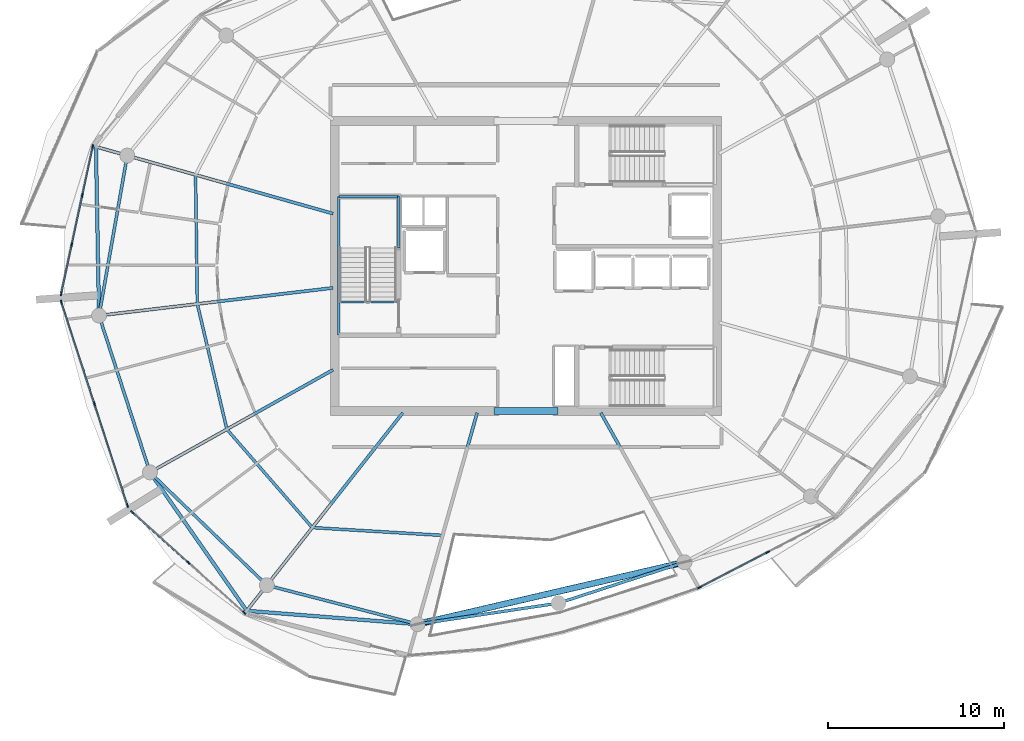
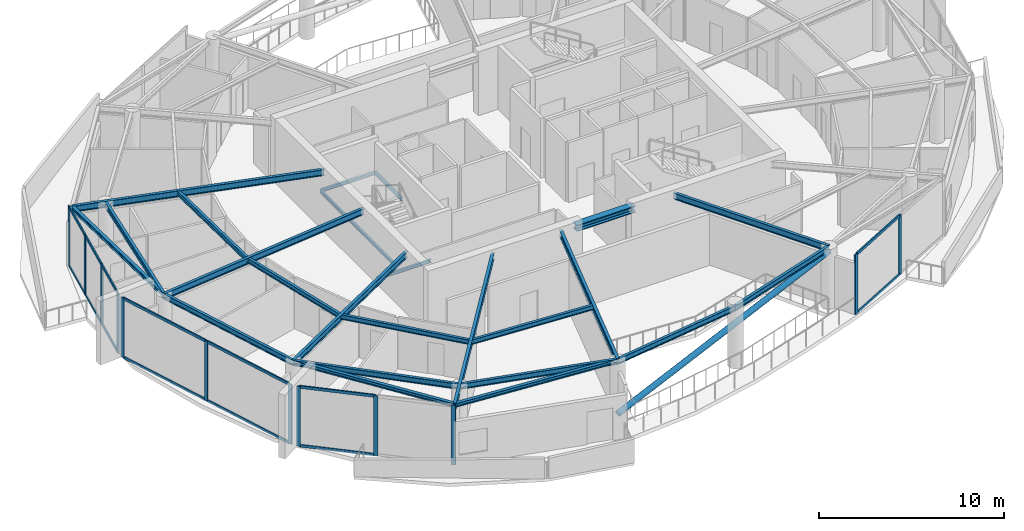
# One storey, part 5 of 22: 27 members, 24 beams, 4 elements without a shape of their own.
"""IFC4 building model written with IfcOpenShell, lengths in metres."""

import ifcopenshell
import ifcopenshell.guid

model = None  # the IFC model being written
_history = None  # IfcOwnerHistory: only IFC2X3 demands one
_inside = {}  # id of a spatial element -> (the spatial element, [elements in it])
_under = {}  # id of a project, library or spatial element -> (it, [spatial elements below it])
_declared = {}  # id of a project -> (the project, [libraries it declares])
_typed = {}  # id of a type object -> (the type object, [elements of that type])
_made_of = {}  # id of a material, layer set ... -> (it, [elements and type objects made of it])


def new_model(schema):
    """Start an empty IFC model of exactly this schema.

    Asked for "IFC4X3", IfcOpenShell would pick the latest addendum, in which some entities
    have other attributes; the version numbers below select the first issue.
    IFC2X3 requires an IfcOwnerHistory on every rooted entity: one is made here for all.
    """
    global model, _history
    if schema == "IFC4X3":
        model = ifcopenshell.file(schema_version=(4, 3, 0, 0))
    else:
        model = ifcopenshell.file(schema=schema)
    _inside.clear()
    _under.clear()
    _declared.clear()
    _typed.clear()
    _made_of.clear()
    _history = None
    if model.schema == "IFC2X3":
        org = make("IfcOrganization", Name="unknown")
        user = make(
            "IfcPersonAndOrganization",
            ThePerson=make("IfcPerson", FamilyName="unknown"),
            TheOrganization=org,
        )
        app = make(
            "IfcApplication",
            ApplicationDeveloper=org,
            Version="unknown",
            ApplicationFullName="unknown",
            ApplicationIdentifier="unknown",
        )
        _history = make(
            "IfcOwnerHistory",
            OwningUser=user,
            OwningApplication=app,
            ChangeAction="ADDED",
            CreationDate=0,
        )
    return model


def make(cls, **values):
    """One entity of the class cls with the attributes given. An attribute that is None is left unset."""
    return model.create_entity(
        cls, **{name: value for name, value in values.items() if value is not None}
    )


def rooted(cls, **values):
    """An entity with a GlobalId (a new one), such as an element, a storey or a relation."""
    return make(cls, GlobalId=ifcopenshell.guid.new(), OwnerHistory=_history, **values)


def si_unit(unit_type, name, prefix=None):
    """IfcSIUnit, for example si_unit("LENGTHUNIT", "METRE", prefix="MILLI")."""
    return make("IfcSIUnit", UnitType=unit_type, Prefix=prefix, Name=name)


def assignment(units):
    """IfcUnitAssignment: the units of a project."""
    return None if units is None else make("IfcUnitAssignment", Units=units)


def point(xyz):
    """IfcCartesianPoint."""
    return None if xyz is None else make("IfcCartesianPoint", Coordinates=xyz)


def direction(xyz):
    """IfcDirection."""
    return None if xyz is None else make("IfcDirection", DirectionRatios=xyz)


def frame(location, z_axis=None, x_axis=None):
    """IfcAxis2Placement3D, a coordinate frame: its origin and axes. An axis left out is left unset."""
    return make(
        "IfcAxis2Placement3D",
        Location=point(location),
        Axis=direction(z_axis),
        RefDirection=direction(x_axis),
    )


def frame_2d(location, x_axis=None):
    """IfcAxis2Placement2D, a coordinate frame in the plane: its origin and x axis."""
    return make(
        "IfcAxis2Placement2D", Location=point(location), RefDirection=direction(x_axis)
    )


def origin():
    """The frame at (0, 0, 0) with its axes left unset."""
    return frame((0.0, 0.0, 0.0))


def origin_2d():
    """The frame at (0, 0) in the plane with its x axis left unset."""
    return frame_2d((0.0, 0.0))


def place(relative_to, where):
    """IfcLocalPlacement: puts the frame where relative to a parent placement (None: the world)."""
    return make(
        "IfcLocalPlacement", PlacementRelTo=relative_to, RelativePlacement=where
    )


def context(
    kind, dimensions, precision=None, world=None, true_north=None, identifier=None
):
    """IfcGeometricRepresentationContext, for example the 3D "Model" context."""
    return make(
        "IfcGeometricRepresentationContext",
        ContextIdentifier=identifier,
        ContextType=kind,
        CoordinateSpaceDimension=dimensions,
        Precision=precision,
        WorldCoordinateSystem=world,
        TrueNorth=true_north,
    )


def subcontext(parent, identifier, kind, view, scale=None):
    """IfcGeometricRepresentationSubContext, for example "Body" below "Model"."""
    return make(
        "IfcGeometricRepresentationSubContext",
        ContextIdentifier=identifier,
        ContextType=kind,
        ParentContext=parent,
        TargetScale=scale,
        TargetView=view,
    )


def project(units=None, contexts=None):
    """IfcProject with its units and contexts."""
    return rooted(
        "IfcProject",
        Name="project",
        RepresentationContexts=contexts,
        UnitsInContext=assignment(units),
    )


def spatial(cls, under=None, at=None, **own):
    """A site, building, storey or space (cls), placed at a placement, below another one or the project."""
    s = rooted(cls, ObjectPlacement=at, **own)
    if under is not None:
        _under.setdefault(under.id(), (under, []))[1].append(s)
    return s


def profile(cls, at=None, kind="AREA", **sizes):
    """A parametric profile (cls). Its sizes go by their IFC names, for example OverallWidth=200.0."""
    return make(cls, ProfileType=kind, Position=at, **sizes)


def rectangle(**sizes):
    """IfcRectangleProfileDef."""
    return profile("IfcRectangleProfileDef", **sizes)


def hollow_circle(**sizes):
    """IfcCircleHollowProfileDef."""
    return profile("IfcCircleHollowProfileDef", **sizes)


def i_section(**sizes):
    """IfcIShapeProfileDef."""
    return profile("IfcIShapeProfileDef", **sizes)


def extrude(swept, where, along, depth):
    """IfcExtrudedAreaSolid: the profile swept, set in the frame where, extruded along a direction by depth."""
    return make(
        "IfcExtrudedAreaSolid",
        SweptArea=swept,
        Position=where,
        ExtrudedDirection=direction(along),
        Depth=depth,
    )


def shape(context_of_items, identifier, shape_type, items):
    """IfcShapeRepresentation: the items that make up one representation, for example the "Body"."""
    return make(
        "IfcShapeRepresentation",
        ContextOfItems=context_of_items,
        RepresentationIdentifier=identifier,
        RepresentationType=shape_type,
        Items=items,
    )


def material(Name=None, Category=None):
    """IfcMaterial."""
    return make("IfcMaterial", Name=Name, Category=Category)


def layer(
    of_material, thickness, ventilated=None, Name=None, Category=None, Priority=None
):
    """IfcMaterialLayer: one layer of a wall or slab, of a material (None: an air gap)."""
    return make(
        "IfcMaterialLayer",
        Material=of_material,
        LayerThickness=thickness,
        IsVentilated=ventilated,
        Name=Name,
        Category=Category,
        Priority=Priority,
    )


def layer_set(layers, Name=None):
    """IfcMaterialLayerSet."""
    return make("IfcMaterialLayerSet", MaterialLayers=layers, LayerSetName=Name)


def material_profile(
    of_material, cross_section, Name=None, Category=None, Priority=None
):
    """IfcMaterialProfile: a cross section and its material."""
    return make(
        "IfcMaterialProfile",
        Name=Name,
        Material=of_material,
        Profile=cross_section,
        Priority=Priority,
        Category=Category,
    )


def profile_set(profiles, Name=None, composite=None):
    """IfcMaterialProfileSet."""
    return make(
        "IfcMaterialProfileSet",
        Name=Name,
        MaterialProfiles=profiles,
        CompositeProfile=composite,
    )


def made_of(thing, what):
    """Note that an element or type object is made of a material, layer set ...; save() writes the relation."""
    if what is not None:
        _made_of.setdefault(what.id(), (what, []))[1].append(thing)
    return thing


def type_object(cls, material=None, **own):
    """A type object (cls), such as IfcWallType, which elements share."""
    return made_of(rooted(cls, **own), material)


def element(
    cls,
    number,
    at=None,
    inside=None,
    cuts=None,
    type_object=None,
    material=None,
    context=None,
    identifier="Body",
    shape_type=None,
    held_by="IfcProductDefinitionShape",
    body=None,
    shapes=None,
    **own,
):
    """One element of the class cls, such as IfcWall. Its Tag is "e" and its number.

    at: its placement. inside: the storey or other place that contains it. cuts: it is an
    opening in that element (IfcRelVoidsElement). A single representation is given by context,
    identifier, shape_type and body (its items); several are given by shapes. held_by: the class
    of the entity that holds the representations. save() writes the other relations.
    """
    e = rooted(cls, Tag="e%d" % number, ObjectPlacement=at, **own)
    if body is not None:
        shapes = [shape(context, identifier, shape_type, body)]
    if shapes is not None:
        e.Representation = make(held_by, Representations=shapes)
    if inside is not None:
        _inside.setdefault(inside.id(), (inside, []))[1].append(e)
    if cuts is not None:
        rooted(
            "IfcRelVoidsElement", RelatingBuildingElement=cuts, RelatedOpeningElement=e
        )
    if type_object is not None:
        _typed.setdefault(type_object.id(), (type_object, []))[1].append(e)
    return made_of(e, material)


def aggregate(whole, parts):
    """IfcRelAggregates: a whole, such as a stair, and the parts it consists of."""
    return rooted("IfcRelAggregates", RelatingObject=whole, RelatedObjects=parts)


def save(model, path):
    """Write the relations noted so far, then the file.

    IfcRelAggregates (storeys below a building ...), IfcRelContainedInSpatialStructure (elements
    in a storey), IfcRelDefinesByType, IfcRelAssociatesMaterial and IfcRelDeclares: one each for
    every whole, place, type object, material and project.
    """
    for whole, parts in _under.values():
        aggregate(whole, parts)
    for where, things in _inside.values():
        rooted(
            "IfcRelContainedInSpatialStructure",
            RelatedElements=things,
            RelatingStructure=where,
        )
    for kind, things in _typed.values():
        rooted("IfcRelDefinesByType", RelatedObjects=things, RelatingType=kind)
    for what, things in _made_of.values():
        rooted("IfcRelAssociatesMaterial", RelatedObjects=things, RelatingMaterial=what)
    for by, libraries in _declared.values():
        rooted("IfcRelDeclares", RelatingContext=by, RelatedDefinitions=libraries)
    model.write(path)


model = new_model("IFC4")

# Units and contexts
model_context = context("Model", 3, precision=1e-05, world=origin(), true_north=direction((0.0, 1.0)))
body_context = subcontext(model_context, "Body", "Model", "MODEL_VIEW")
ifc_project = project(units=[si_unit("LENGTHUNIT", "METRE"), si_unit("AREAUNIT", "SQUARE_METRE"), si_unit("VOLUMEUNIT", "CUBIC_METRE"), si_unit("PLANEANGLEUNIT", "RADIAN"), si_unit("MASSUNIT", "GRAM", prefix="KILO")], contexts=[model_context])

# Site, building, storey
site_placement = place(None, origin())
site = spatial("IfcSite", under=ifc_project, at=site_placement, CompositionType="ELEMENT")
building_placement = place(site_placement, origin())
building = spatial("IfcBuilding", under=site, at=building_placement, Name="Kazma Halo Residences", CompositionType="ELEMENT")
storey_placement = place(building_placement, frame((0.0, 0.0, 326.300048828125)))
storey = spatial("IfcBuildingStorey", under=building, at=storey_placement, Name="L82", CompositionType="ELEMENT", Elevation=326.300048828125)

# Beams
ifc_material_1 = material(Name="Steel S355", Category="steel")
ifc_material_profile_1 = material_profile(ifc_material_1, i_section(OverallWidth=0.201904296875, OverallDepth=0.2470703125, WebThickness=0.00732421875, FlangeThickness=0.010986328125, FilletRadius=0.011962890625, at=origin_2d()), Name="W250x49.1")
ifc_profile_set_1 = profile_set([ifc_material_profile_1], Name="Steel S355")
beam_type_1 = type_object("IfcBeamType", Name="BM-BAL-CANT", PredefinedType="BEAM", material=ifc_profile_set_1)
beam_1_placement = place(storey_placement, frame((23.9638671875, 48.77880859375, 3.81640625), z_axis=(0.018301708623, -0.999832509704, 0.0), x_axis=(0.999832509704, 0.018301708623, 0.0)))
element("IfcBeam", 1, at=beam_1_placement, inside=storey, type_object=beam_type_1, Name="L82 wave-balcony tie beam 07", PredefinedType="BEAM", context=body_context, shape_type="SweptSolid", body=[
    extrude(i_section(OverallWidth=0.201904296875, OverallDepth=0.2470703125, WebThickness=0.00732421875, FlangeThickness=0.010986328125, FilletRadius=0.011962890625, at=origin_2d()), origin(), (0.0, 0.0, 1.0), 9.604736328125),
])
beam_2_placement = place(storey_placement, frame((27.03662109375, 30.260009765625, 3.81640625), z_axis=(0.572873629847, -0.819643705659, 0.0), x_axis=(0.819643705659, 0.572873629847, 0.0)))
element("IfcBeam", 2, at=beam_2_placement, inside=storey, type_object=beam_type_1, Name="L82 wave-balcony lead tie beam 09", PredefinedType="BEAM", context=body_context, shape_type="SweptSolid", body=[
    extrude(i_section(OverallWidth=0.201904296875, OverallDepth=0.2470703125, WebThickness=0.00732421875, FlangeThickness=0.010986328125, FilletRadius=0.011962890625, at=origin_2d()), origin(), (0.0, 0.0, 1.0), 9.6044921875),
])
beam_3_placement = place(storey_placement, frame((32.538818359375, 22.3876953125, 3.81640625), z_axis=(0.996920506796, -0.078418767718, 0.0), x_axis=(0.078418767718, 0.996920506796, 0.0)))
element("IfcBeam", 3, at=beam_3_placement, inside=storey, type_object=beam_type_1, Name="L82 wave-balcony tie beam 10", PredefinedType="BEAM", context=body_context, shape_type="SweptSolid", body=[
    extrude(i_section(OverallWidth=0.201904296875, OverallDepth=0.2470703125, WebThickness=0.00732421875, FlangeThickness=0.010986328125, FilletRadius=0.011962890625, at=origin_2d()), origin(), (0.0, 0.0, 1.0), 9.74462890625),
])
ifc_material_profile_2 = material_profile(ifc_material_1, i_section(OverallWidth=0.408935546875, OverallDepth=0.425048828125, WebThickness=0.03271484375, FlangeThickness=0.052490234375, FilletRadius=0.02001953125, at=origin_2d()), Name="W360x421")
ifc_profile_set_2 = profile_set([ifc_material_profile_2], Name="Steel S355")
beam_type_2 = type_object("IfcBeamType", Name="BM-CORE-W360H", PredefinedType="BEAM", material=ifc_profile_set_2)
beam_4_placement = place(storey_placement, frame((46.60009765625, 33.75, 3.7275390625), z_axis=(1.0, 0.0, 0.0), x_axis=(0.0, 1.0, 0.0)))
element("IfcBeam", 4, at=beam_4_placement, inside=storey, type_object=beam_type_2, Name="L82 core coupling beam S", PredefinedType="BEAM", context=body_context, shape_type="SweptSolid", body=[
    extrude(i_section(OverallWidth=0.408935546875, OverallDepth=0.425048828125, WebThickness=0.03271484375, FlangeThickness=0.052490234375, FilletRadius=0.02001953125, at=origin_2d()), origin(), (0.0, 0.0, 1.0), 3.64990234375),
])
ifc_material_profile_3 = material_profile(ifc_material_1, i_section(OverallWidth=0.177978515625, OverallDepth=0.406982421875, WebThickness=0.0078125, FlangeThickness=0.0126953125, FilletRadius=0.013916015625, at=origin_2d()), Name="W410x60")
ifc_profile_set_3 = profile_set([ifc_material_profile_3], Name="Steel S355")
beam_type_3 = type_object("IfcBeamType", Name="BM-RAD-W410", PredefinedType="BEAM", material=ifc_profile_set_3)
beam_5_placement = place(storey_placement, frame((37.449951171875, 44.975341796875, 3.736572265625), z_axis=(-0.962455278458, 0.27144030093, 0.0), x_axis=(-0.27144030093, -0.962455278458, 0.0)))
element("IfcBeam", 5, at=beam_5_placement, inside=storey, type_object=beam_type_3, Name="L82 radial floor beam 07", PredefinedType="BEAM", context=body_context, shape_type="SweptSolid", body=[
    extrude(i_section(OverallWidth=0.177978515625, OverallDepth=0.406982421875, WebThickness=0.0078125, FlangeThickness=0.0126953125, FilletRadius=0.013916015625, at=origin_2d()), origin(), (0.0, 0.0, 1.0), 14.01220703125),
])
beam_6_placement = place(storey_placement, frame((37.449951171875, 40.751220703125, 3.736572265625), z_axis=(-0.993067923032, -0.11754190846, 0.0), x_axis=(0.11754190846, -0.993067923032, 0.0)))
element("IfcBeam", 6, at=beam_6_placement, inside=storey, type_object=beam_type_3, Name="L82 radial floor beam 08", PredefinedType="BEAM", context=body_context, shape_type="SweptSolid", body=[
    extrude(i_section(OverallWidth=0.177978515625, OverallDepth=0.406982421875, WebThickness=0.0078125, FlangeThickness=0.0126953125, FilletRadius=0.013916015625, at=origin_2d()), origin(), (0.0, 0.0, 1.0), 13.4033203125),
])
beam_7_placement = place(storey_placement, frame((37.449951171875, 36.091796875, 3.736572265625), z_axis=(-0.872494504737, -0.4886239241, 0.0), x_axis=(0.4886239241, -0.872494504737, 0.0)))
element("IfcBeam", 7, at=beam_7_placement, inside=storey, type_object=beam_type_3, Name="L82 radial floor beam 09", PredefinedType="BEAM", context=body_context, shape_type="SweptSolid", body=[
    extrude(i_section(OverallWidth=0.177978515625, OverallDepth=0.406982421875, WebThickness=0.0078125, FlangeThickness=0.0126953125, FilletRadius=0.013916015625, at=origin_2d()), origin(), (0.0, 0.0, 1.0), 11.93505859375),
])
beam_8_placement = place(storey_placement, frame((41.41748046875, 33.64990234375, 3.736572265625), z_axis=(-0.61910487104, -0.78530832076, 0.0), x_axis=(0.78530832076, -0.61910487104, 0.0)))
element("IfcBeam", 8, at=beam_8_placement, inside=storey, type_object=beam_type_3, Name="L82 radial floor beam 10", PredefinedType="BEAM", context=body_context, shape_type="SweptSolid", body=[
    extrude(i_section(OverallWidth=0.177978515625, OverallDepth=0.406982421875, WebThickness=0.0078125, FlangeThickness=0.0126953125, FilletRadius=0.013916015625, at=origin_2d()), origin(), (0.0, 0.0, 1.0), 14.341064453125),
])
beam_9_placement = place(storey_placement, frame((45.64501953125, 33.64990234375, 3.736572265625), z_axis=(-0.271426752139, -0.962459099507, 0.0), x_axis=(0.962459099507, -0.271426752139, 0.0)))
element("IfcBeam", 9, at=beam_9_placement, inside=storey, type_object=beam_type_3, Name="L82 radial floor beam 11", PredefinedType="BEAM", context=body_context, shape_type="SweptSolid", body=[
    extrude(i_section(OverallWidth=0.177978515625, OverallDepth=0.406982421875, WebThickness=0.0078125, FlangeThickness=0.0126953125, FilletRadius=0.013916015625, at=origin_2d()), origin(), (0.0, 0.0, 1.0), 12.495361328125),
])
beam_10_placement = place(storey_placement, frame((52.67626953125, 33.64990234375, 3.736572265625), z_axis=(0.488620919127, -0.872496187608, 0.0), x_axis=(0.872496187608, 0.488620919127, 0.0)))
element("IfcBeam", 10, at=beam_10_placement, inside=storey, type_object=beam_type_3, Name="L82 radial floor beam 13", PredefinedType="BEAM", context=body_context, shape_type="SweptSolid", body=[
    extrude(i_section(OverallWidth=0.177978515625, OverallDepth=0.406982421875, WebThickness=0.0078125, FlangeThickness=0.0126953125, FilletRadius=0.013916015625, at=origin_2d()), origin(), (0.0, 0.0, 1.0), 9.74267578125),
])
ifc_material_profile_4 = material_profile(ifc_material_1, i_section(OverallWidth=0.1650390625, OverallDepth=0.31005859375, WebThickness=0.005859375, FlangeThickness=0.009765625, FilletRadius=0.011962890625, at=origin_2d()), Name="W310x38.7")
ifc_profile_set_4 = profile_set([ifc_material_profile_4], Name="Steel S355")
beam_type_4 = type_object("IfcBeamType", Name="BM-SEC-W310B", PredefinedType="JOIST", material=ifc_profile_set_4)
beam_11_placement = place(storey_placement, frame((29.628173828125, 47.181396484375, 3.784912109375), z_axis=(0.013861699983, -0.999903922021, 0.0), x_axis=(0.999903922021, 0.013861699983, 0.0)))
element("IfcBeam", 11, at=beam_11_placement, inside=storey, type_object=beam_type_4, Name="L82 circumferential floor joist 07", PredefinedType="JOIST", context=body_context, shape_type="SweptSolid", body=[
    extrude(i_section(OverallWidth=0.1650390625, OverallDepth=0.31005859375, WebThickness=0.005859375, FlangeThickness=0.009765625, FilletRadius=0.011962890625, at=origin_2d()), origin(), (0.0, 0.0, 1.0), 7.344482421875),
])
beam_12_placement = place(storey_placement, frame((29.72998046875, 39.837646484375, 3.784912109375), z_axis=(0.229446221817, -0.973321340203, 0.0), x_axis=(0.973321340203, 0.229446221817, 0.0)))
element("IfcBeam", 12, at=beam_12_placement, inside=storey, type_object=beam_type_4, Name="L82 circumferential floor joist 08", PredefinedType="JOIST", context=body_context, shape_type="SweptSolid", body=[
    extrude(i_section(OverallWidth=0.1650390625, OverallDepth=0.31005859375, WebThickness=0.005859375, FlangeThickness=0.009765625, FilletRadius=0.011962890625, at=origin_2d()), origin(), (0.0, 0.0, 1.0), 7.32373046875),
])
beam_13_placement = place(storey_placement, frame((31.410400390625, 32.709228515625, 3.784912109375), z_axis=(0.655826094878, -0.754912003664, 0.0), x_axis=(0.754912003664, 0.655826094878, 0.0)))
element("IfcBeam", 13, at=beam_13_placement, inside=storey, type_object=beam_type_4, Name="L82 circumferential floor joist 09", PredefinedType="JOIST", context=body_context, shape_type="SweptSolid", body=[
    extrude(i_section(OverallWidth=0.1650390625, OverallDepth=0.31005859375, WebThickness=0.005859375, FlangeThickness=0.009765625, FilletRadius=0.011962890625, at=origin_2d()), origin(), (0.0, 0.0, 1.0), 7.406494140625),
])
beam_14_placement = place(storey_placement, frame((36.267822265625, 27.117919921875, 3.784912109375), z_axis=(0.998216858477, -0.059691736892, 0.0), x_axis=(0.059691736892, 0.998216858477, 0.0)))
element("IfcBeam", 14, at=beam_14_placement, inside=storey, type_object=beam_type_4, Name="L82 circumferential floor joist 10", PredefinedType="JOIST", context=body_context, shape_type="SweptSolid", body=[
    extrude(i_section(OverallWidth=0.1650390625, OverallDepth=0.31005859375, WebThickness=0.005859375, FlangeThickness=0.009765625, FilletRadius=0.011962890625, at=origin_2d()), origin(), (0.0, 0.0, 1.0), 7.42333984375),
])
ifc_material_profile_5 = material_profile(ifc_material_1, i_section(OverallWidth=0.1708984375, OverallDepth=0.35498046875, WebThickness=0.007080078125, FlangeThickness=0.01171875, FilletRadius=0.013916015625, at=origin_2d()), Name="W360x51")
ifc_profile_set_5 = profile_set([ifc_material_profile_5], Name="Steel S355")
beam_type_5 = type_object("IfcBeamType", Name="BM-SPN-W360", PredefinedType="BEAM", material=ifc_profile_set_5)
beam_15_placement = place(storey_placement, frame((25.744384765625, 48.276611328125, 3.762451171875), z_axis=(-0.173649692956, -0.984807485825, 0.0), x_axis=(0.984807485825, -0.173649692956, 0.0)))
element("IfcBeam", 15, at=beam_15_placement, inside=storey, type_object=beam_type_5, Name="L82 perimeter ring beam 07", PredefinedType="BEAM", context=body_context, shape_type="SweptSolid", body=[
    extrude(i_section(OverallWidth=0.1708984375, OverallDepth=0.35498046875, WebThickness=0.007080078125, FlangeThickness=0.01171875, FilletRadius=0.013916015625, at=origin_2d()), origin(), (0.0, 0.0, 1.0), 9.2412109375),
])
beam_16_placement = place(storey_placement, frame((24.1396484375, 39.17578125, 3.762451171875), z_axis=(0.309023062674, -0.951054544564, 0.0), x_axis=(0.951054544564, 0.309023062674, 0.0)))
element("IfcBeam", 16, at=beam_16_placement, inside=storey, type_object=beam_type_5, Name="L82 perimeter ring beam 08", PredefinedType="BEAM", context=body_context, shape_type="SweptSolid", body=[
    extrude(i_section(OverallWidth=0.1708984375, OverallDepth=0.35498046875, WebThickness=0.007080078125, FlangeThickness=0.01171875, FilletRadius=0.013916015625, at=origin_2d()), origin(), (0.0, 0.0, 1.0), 9.37451171875),
])
beam_17_placement = place(storey_placement, frame((27.03662109375, 30.260009765625, 3.762451171875), z_axis=(0.71933681628, -0.694661460529, 0.0), x_axis=(0.694661460529, 0.71933681628, 0.0)))
element("IfcBeam", 17, at=beam_17_placement, inside=storey, type_object=beam_type_5, Name="L82 perimeter ring beam 09", PredefinedType="BEAM", context=body_context, shape_type="SweptSolid", body=[
    extrude(i_section(OverallWidth=0.1708984375, OverallDepth=0.35498046875, WebThickness=0.007080078125, FlangeThickness=0.01171875, FilletRadius=0.013916015625, at=origin_2d()), origin(), (0.0, 0.0, 1.0), 9.2412109375),
])
beam_18_placement = place(storey_placement, frame((33.68408203125, 23.840576171875, 3.762451171875), z_axis=(0.968124082793, -0.250471076805, 0.0), x_axis=(0.250471076805, 0.968124082793, 0.0)))
element("IfcBeam", 18, at=beam_18_placement, inside=storey, type_object=beam_type_5, Name="L82 perimeter ring beam 10", PredefinedType="BEAM", context=body_context, shape_type="SweptSolid", body=[
    extrude(i_section(OverallWidth=0.1708984375, OverallDepth=0.35498046875, WebThickness=0.007080078125, FlangeThickness=0.01171875, FilletRadius=0.013916015625, at=origin_2d()), origin(), (0.0, 0.0, 1.0), 8.8515625),
])
beam_19_placement = place(storey_placement, frame((42.25341796875, 21.62353515625, 3.762451171875), z_axis=(0.989030710595, 0.147710031817, 0.0), x_axis=(-0.147710031817, 0.989030710595, 0.0)))
element("IfcBeam", 19, at=beam_19_placement, inside=storey, type_object=beam_type_5, Name="L82 perimeter ring beam 11", PredefinedType="BEAM", context=body_context, shape_type="SweptSolid", body=[
    extrude(i_section(OverallWidth=0.1708984375, OverallDepth=0.35498046875, WebThickness=0.007080078125, FlangeThickness=0.01171875, FilletRadius=0.013916015625, at=origin_2d()), origin(), (0.0, 0.0, 1.0), 8.10546875),
])
beam_20_placement = place(storey_placement, frame((50.27001953125, 22.82080078125, 3.762451171875), z_axis=(0.951056684666, 0.309016476183, 0.0), x_axis=(-0.309016476183, 0.951056684666, 0.0)))
element("IfcBeam", 20, at=beam_20_placement, inside=storey, type_object=beam_type_5, Name="L82 perimeter ring beam 12", PredefinedType="BEAM", context=body_context, shape_type="SweptSolid", body=[
    extrude(i_section(OverallWidth=0.1708984375, OverallDepth=0.35498046875, WebThickness=0.007080078125, FlangeThickness=0.01171875, FilletRadius=0.013916015625, at=origin_2d()), origin(), (0.0, 0.0, 1.0), 7.53564453125),
])
ifc_material_profile_6 = material_profile(ifc_material_1, i_section(OverallWidth=0.133056640625, OverallDepth=0.20703125, WebThickness=0.005859375, FlangeThickness=0.00830078125, FilletRadius=0.010009765625, at=origin_2d()), Name="W200x26.6")
ifc_profile_set_6 = profile_set([ifc_material_profile_6], Name="Steel S355")
beam_type_6 = type_object("IfcBeamType", Name="BM-TRIM-W200", PredefinedType="BEAM", material=ifc_profile_set_6)
beam_21_placement = place(storey_placement, frame((37.800048828125, 39.949951171875, -0.3701171875), z_axis=(1.0, 0.0, 0.0), x_axis=(0.0, 1.0, 0.0)))
element("IfcBeam", 21, at=beam_21_placement, inside=storey, type_object=beam_type_6, Name="L82 ST-01 floor landing support beam", PredefinedType="BEAM", context=body_context, shape_type="SweptSolid", body=[
    extrude(i_section(OverallWidth=0.133056640625, OverallDepth=0.20703125, WebThickness=0.005859375, FlangeThickness=0.00830078125, FilletRadius=0.010009765625, at=origin_2d()), origin(), (0.0, 0.0, 1.0), 3.3798828125),
])
beam_22_placement = place(storey_placement, frame((37.780029296875, 38.06005859375, 1.794921875), z_axis=(0.0, 1.0, 0.0), x_axis=(-1.0, 0.0, 0.0)))
element("IfcBeam", 22, at=beam_22_placement, inside=storey, type_object=beam_type_6, Name="L82 ST-01 landing west wall ledger", PredefinedType="BEAM", context=body_context, shape_type="SweptSolid", body=[
    extrude(i_section(OverallWidth=0.133056640625, OverallDepth=0.20703125, WebThickness=0.005859375, FlangeThickness=0.00830078125, FilletRadius=0.010009765625, at=origin_2d()), origin(), (0.0, 0.0, 1.0), 7.8798828125),
])
beam_23_placement = place(storey_placement, frame((41.179931640625, 43.030029296875, 1.794921875), z_axis=(0.0, 1.0, 0.0), x_axis=(-1.0, 0.0, 0.0)))
element("IfcBeam", 23, at=beam_23_placement, inside=storey, type_object=beam_type_6, Name="L82 ST-01 landing east wall ledger", PredefinedType="BEAM", context=body_context, shape_type="SweptSolid", body=[
    extrude(i_section(OverallWidth=0.133056640625, OverallDepth=0.20703125, WebThickness=0.005859375, FlangeThickness=0.00830078125, FilletRadius=0.010009765625, at=origin_2d()), origin(), (0.0, 0.0, 1.0), 2.909912109375),
])
beam_24_placement = place(storey_placement, frame((37.780029296875, 45.93994140625, 1.794921875), z_axis=(1.0, 0.0, 0.0), x_axis=(0.0, 1.0, 0.0)))
element("IfcBeam", 24, at=beam_24_placement, inside=storey, type_object=beam_type_6, Name="L82 ST-01 landing end wall ledger", PredefinedType="BEAM", context=body_context, shape_type="SweptSolid", body=[
    extrude(i_section(OverallWidth=0.133056640625, OverallDepth=0.20703125, WebThickness=0.005859375, FlangeThickness=0.00830078125, FilletRadius=0.010009765625, at=origin_2d()), origin(), (0.0, 0.0, 1.0), 3.39990234375),
])

# Curtain wall, members
ifc_material_2 = material(Name="Aluminium AW-6063 T6 and Triple-Silver Low-E Glass", Category="aluminium")
ifc_layer = layer(ifc_material_2, 0.239990234375)
ifc_layer_set = layer_set([ifc_layer], Name="Aluminium AW-6063 T6 and Triple-Silver Low-E Glass")
curtain_wall_type = type_object("IfcCurtainWallType", Name="CW-SYS-6", PredefinedType="NOTDEFINED", material=ifc_layer_set)
curtain_wall_1_placement = place(storey_placement, origin())
curtain_wall_1 = element("IfcCurtainWall", 25, at=curtain_wall_1_placement, inside=storey, type_object=curtain_wall_type, Name="L82 unitised curtain wall B07", PredefinedType="NOTDEFINED")
ifc_material_3 = material(Name="Aluminium AW-6063 T6", Category="aluminium")
ifc_material_profile_7 = material_profile(ifc_material_3, rectangle(XDim=0.080078125, YDim=0.239990234375, at=origin_2d()), Name="CWM-80x240")
ifc_profile_set_7 = profile_set([ifc_material_profile_7], Name="Aluminium AW-6063 T6")
member_type_1 = type_object("IfcMemberType", Name="CW-SYS-6-MUL", PredefinedType="MULLION", material=ifc_profile_set_7)
member_1_placement = place(storey_placement, frame((23.7841796875, 48.7880859375, 0.0), z_axis=(0.0, 0.0, 1.0), x_axis=(0.977760865363, -0.209722888986, 0.0)))
member_1 = element("IfcMember", 26, at=member_1_placement, type_object=member_type_1, Name="CWS-6 mullion 1", PredefinedType="MULLION", context=body_context, shape_type="SweptSolid", body=[
    extrude(rectangle(XDim=0.080078125, YDim=0.239990234375, at=origin_2d()), origin(), (0.0, 0.0, 1.0), 3.93994140625),
])
member_2_placement = place(storey_placement, frame((23.18896484375, 46.013427734375, 0.0), z_axis=(0.0, 0.0, 1.0), x_axis=(0.977760865363, -0.209722888986, 0.0)))
member_2 = element("IfcMember", 27, at=member_2_placement, type_object=member_type_1, Name="CWS-6 mullion 2", PredefinedType="MULLION", context=body_context, shape_type="SweptSolid", body=[
    extrude(rectangle(XDim=0.080078125, YDim=0.239990234375, at=origin_2d()), origin(), (0.0, 0.0, 1.0), 3.93994140625),
])
member_3_placement = place(storey_placement, frame((22.58544921875, 43.19970703125, 0.0), z_axis=(0.0, 0.0, 1.0), x_axis=(0.977760865363, -0.209722888986, 0.0)))
member_3 = element("IfcMember", 28, at=member_3_placement, type_object=member_type_1, Name="CWS-6 mullion 3", PredefinedType="MULLION", context=body_context, shape_type="SweptSolid", body=[
    extrude(rectangle(XDim=0.080078125, YDim=0.239990234375, at=origin_2d()), origin(), (0.0, 0.0, 1.0), 3.93994140625),
])
member_4_placement = place(storey_placement, frame((21.990234375, 40.425048828125, 0.0), z_axis=(0.0, 0.0, 1.0), x_axis=(0.977760865363, -0.209722888986, 0.0)))
member_4 = element("IfcMember", 29, at=member_4_placement, type_object=member_type_1, Name="CWS-6 mullion 4", PredefinedType="MULLION", context=body_context, shape_type="SweptSolid", body=[
    extrude(rectangle(XDim=0.080078125, YDim=0.239990234375, at=origin_2d()), origin(), (0.0, 0.0, 1.0), 3.93994140625),
])

curtain_wall_2_placement = place(storey_placement, origin())
curtain_wall_2 = element("IfcCurtainWall", 30, at=curtain_wall_2_placement, inside=storey, type_object=curtain_wall_type, Name="L82 unitised curtain wall B08", PredefinedType="NOTDEFINED")
member_5_placement = place(storey_placement, frame((22.0009765625, 39.937744140625, 0.0), z_axis=(0.0, 0.0, 1.0), x_axis=(0.951055886462, 0.309018932797, 0.0)))
member_5 = element("IfcMember", 31, at=member_5_placement, type_object=member_type_1, Name="CWS-6 mullion 1", PredefinedType="MULLION", context=body_context, shape_type="SweptSolid", body=[
    extrude(rectangle(XDim=0.080078125, YDim=0.239990234375, at=origin_2d()), origin(), (0.0, 0.0, 1.0), 3.93994140625),
])
member_6_placement = place(storey_placement, frame((23.87744140625, 34.162109375, 0.0), z_axis=(0.0, 0.0, 1.0), x_axis=(0.951055886462, 0.309018932797, 0.0)))
member_6 = element("IfcMember", 32, at=member_6_placement, type_object=member_type_1, Name="CWS-6 mullion 2", PredefinedType="MULLION", context=body_context, shape_type="SweptSolid", body=[
    extrude(rectangle(XDim=0.080078125, YDim=0.239990234375, at=origin_2d()), origin(), (0.0, 0.0, 1.0), 3.93994140625),
])
member_7_placement = place(storey_placement, frame((25.754150390625, 28.38671875, 0.0), z_axis=(0.0, 0.0, 1.0), x_axis=(0.951055886462, 0.309018932797, 0.0)))
member_7 = element("IfcMember", 33, at=member_7_placement, type_object=member_type_1, Name="CWS-6 mullion 3", PredefinedType="MULLION", context=body_context, shape_type="SweptSolid", body=[
    extrude(rectangle(XDim=0.080078125, YDim=0.239990234375, at=origin_2d()), origin(), (0.0, 0.0, 1.0), 3.93994140625),
])

curtain_wall_3_placement = place(storey_placement, origin())
curtain_wall_3 = element("IfcCurtainWall", 34, at=curtain_wall_3_placement, inside=storey, type_object=curtain_wall_type, Name="L82 unitised curtain wall B09", PredefinedType="NOTDEFINED")
member_8_placement = place(storey_placement, frame((26.031982421875, 27.986083984375, 0.0), z_axis=(0.0, 0.0, 1.0), x_axis=(0.667757559118, 0.744378829791, 0.0)))
member_8 = element("IfcMember", 35, at=member_8_placement, type_object=member_type_1, Name="CWS-6 mullion 1", PredefinedType="MULLION", context=body_context, shape_type="SweptSolid", body=[
    extrude(rectangle(XDim=0.080078125, YDim=0.239990234375, at=origin_2d()), origin(), (0.0, 0.0, 1.0), 3.93994140625),
])
member_9_placement = place(storey_placement, frame((29.21533203125, 25.13037109375, 0.0), z_axis=(0.0, 0.0, 1.0), x_axis=(0.667757559118, 0.744378829791, 0.0)))
member_9 = element("IfcMember", 36, at=member_9_placement, type_object=member_type_1, Name="CWS-6 mullion 2", PredefinedType="MULLION", context=body_context, shape_type="SweptSolid", body=[
    extrude(rectangle(XDim=0.080078125, YDim=0.239990234375, at=origin_2d()), origin(), (0.0, 0.0, 1.0), 3.93994140625),
])
member_10_placement = place(storey_placement, frame((32.39892578125, 22.2744140625, 0.0), z_axis=(0.0, 0.0, 1.0), x_axis=(0.667757559118, 0.744378829791, 0.0)))
member_10 = element("IfcMember", 37, at=member_10_placement, type_object=member_type_1, Name="CWS-6 mullion 3", PredefinedType="MULLION", context=body_context, shape_type="SweptSolid", body=[
    extrude(rectangle(XDim=0.080078125, YDim=0.239990234375, at=origin_2d()), origin(), (0.0, 0.0, 1.0), 3.93994140625),
])

curtain_wall_4_placement = place(storey_placement, origin())
curtain_wall_4 = element("IfcCurtainWall", 38, at=curtain_wall_4_placement, inside=storey, type_object=curtain_wall_type, Name="L82 unitised curtain wall B13", PredefinedType="NOTDEFINED")
member_11_placement = place(storey_placement, frame((58.290283203125, 23.70703125, 0.0), z_axis=(0.0, 0.0, 1.0), x_axis=(-0.460796020861, 0.887506071618, 0.0)))
member_11 = element("IfcMember", 39, at=member_11_placement, type_object=member_type_1, Name="CWS-6 mullion 1", PredefinedType="MULLION", context=body_context, shape_type="SweptSolid", body=[
    extrude(rectangle(XDim=0.080078125, YDim=0.239990234375, at=origin_2d()), origin(), (0.0, 0.0, 1.0), 3.93994140625),
])
member_12_placement = place(storey_placement, frame((62.16552734375, 25.71923828125, 0.0), z_axis=(0.0, 0.0, 1.0), x_axis=(-0.460796020861, 0.887506071618, 0.0)))
member_12 = element("IfcMember", 40, at=member_12_placement, type_object=member_type_1, Name="CWS-6 mullion 2", PredefinedType="MULLION", context=body_context, shape_type="SweptSolid", body=[
    extrude(rectangle(XDim=0.080078125, YDim=0.239990234375, at=origin_2d()), origin(), (0.0, 0.0, 1.0), 3.93994140625),
])

# Member
ifc_material_profile_8 = material_profile(ifc_material_3, rectangle(XDim=0.080078125, YDim=0.179931640625, at=origin_2d()), Name="CWT-80x180")
ifc_profile_set_8 = profile_set([ifc_material_profile_8], Name="Aluminium AW-6063 T6")
member_type_2 = type_object("IfcMemberType", Name="CW-SYS-6-TRN", PredefinedType="USERDEFINED", material=ifc_profile_set_8)
member_13_placement = place(storey_placement, frame((23.775634765625, 48.7490234375, 0.0400390625), z_axis=(-0.209716499477, -0.977762235846, 0.0), x_axis=(0.977762235846, -0.209716499477, 0.0)))
member_13 = element("IfcMember", 41, at=member_13_placement, type_object=member_type_2, Name="CWS-6 transom 1.1", ObjectType="TRANSOM", PredefinedType="USERDEFINED", context=body_context, shape_type="SweptSolid", body=[
    extrude(rectangle(XDim=0.080078125, YDim=0.179931640625, at=origin_2d()), origin(), (0.0, 0.0, 1.0), 2.7578125),
])

member_14_placement = place(storey_placement, frame((23.775634765625, 48.7490234375, 3.89990234375), z_axis=(-0.209716499477, -0.977762235846, 0.0), x_axis=(0.977762235846, -0.209716499477, 0.0)))
member_14 = element("IfcMember", 42, at=member_14_placement, type_object=member_type_2, Name="CWS-6 transom 1.2", ObjectType="TRANSOM", PredefinedType="USERDEFINED", context=body_context, shape_type="SweptSolid", body=[
    extrude(rectangle(XDim=0.080078125, YDim=0.179931640625, at=origin_2d()), origin(), (0.0, 0.0, 1.0), 2.7578125),
])

member_15_placement = place(storey_placement, frame((23.1806640625, 45.974365234375, 0.0400390625), z_axis=(-0.209773410621, -0.977750027459, 0.0), x_axis=(0.977750027459, -0.209773410621, 0.0)))
member_15 = element("IfcMember", 43, at=member_15_placement, type_object=member_type_2, Name="CWS-6 transom 2.1", ObjectType="TRANSOM", PredefinedType="USERDEFINED", context=body_context, shape_type="SweptSolid", body=[
    extrude(rectangle(XDim=0.080078125, YDim=0.179931640625, at=origin_2d()), origin(), (0.0, 0.0, 1.0), 2.7978515625),
])

member_16_placement = place(storey_placement, frame((23.1806640625, 45.974365234375, 3.89990234375), z_axis=(-0.209773410621, -0.977750027459, 0.0), x_axis=(0.977750027459, -0.209773410621, 0.0)))
member_16 = element("IfcMember", 44, at=member_16_placement, type_object=member_type_2, Name="CWS-6 transom 2.2", ObjectType="TRANSOM", PredefinedType="USERDEFINED", context=body_context, shape_type="SweptSolid", body=[
    extrude(rectangle(XDim=0.080078125, YDim=0.179931640625, at=origin_2d()), origin(), (0.0, 0.0, 1.0), 2.7978515625),
])

member_17_placement = place(storey_placement, frame((22.5771484375, 43.16064453125, 0.0400390625), z_axis=(-0.209716499477, -0.977762235846, 0.0), x_axis=(0.977762235846, -0.209716499477, 0.0)))
member_17 = element("IfcMember", 45, at=member_17_placement, type_object=member_type_2, Name="CWS-6 transom 3.1", ObjectType="TRANSOM", PredefinedType="USERDEFINED", context=body_context, shape_type="SweptSolid", body=[
    extrude(rectangle(XDim=0.080078125, YDim=0.179931640625, at=origin_2d()), origin(), (0.0, 0.0, 1.0), 2.7578125),
])

member_18_placement = place(storey_placement, frame((22.5771484375, 43.16064453125, 3.89990234375), z_axis=(-0.209716499477, -0.977762235846, 0.0), x_axis=(0.977762235846, -0.209716499477, 0.0)))
member_18 = element("IfcMember", 46, at=member_18_placement, type_object=member_type_2, Name="CWS-6 transom 3.2", ObjectType="TRANSOM", PredefinedType="USERDEFINED", context=body_context, shape_type="SweptSolid", body=[
    extrude(rectangle(XDim=0.080078125, YDim=0.179931640625, at=origin_2d()), origin(), (0.0, 0.0, 1.0), 2.7578125),
])

aggregate(curtain_wall_1, [member_1, member_2, member_3, member_4, member_13, member_14, member_15, member_16, member_17, member_18])

member_19_placement = place(storey_placement, frame((22.013427734375, 39.899658203125, 0.0400390625), z_axis=(0.309007770724, -0.951059513191, 0.0), x_axis=(0.951059513191, 0.309007770724, 0.0)))
member_19 = element("IfcMember", 47, at=member_19_placement, type_object=member_type_2, Name="CWS-6 transom 1.1", ObjectType="TRANSOM", PredefinedType="USERDEFINED", context=body_context, shape_type="SweptSolid", body=[
    extrude(rectangle(XDim=0.080078125, YDim=0.179931640625, at=origin_2d()), origin(), (0.0, 0.0, 1.0), 5.99267578125),
])

member_20_placement = place(storey_placement, frame((22.013427734375, 39.899658203125, 3.89990234375), z_axis=(0.309007770724, -0.951059513191, 0.0), x_axis=(0.951059513191, 0.309007770724, 0.0)))
member_20 = element("IfcMember", 48, at=member_20_placement, type_object=member_type_2, Name="CWS-6 transom 1.2", ObjectType="TRANSOM", PredefinedType="USERDEFINED", context=body_context, shape_type="SweptSolid", body=[
    extrude(rectangle(XDim=0.080078125, YDim=0.179931640625, at=origin_2d()), origin(), (0.0, 0.0, 1.0), 5.99267578125),
])

member_21_placement = place(storey_placement, frame((23.889892578125, 34.1240234375, 0.0400390625), z_axis=(0.309019743831, -0.951055622938, 0.0), x_axis=(0.951055622938, 0.309019743831, 0.0)))
member_21 = element("IfcMember", 49, at=member_21_placement, type_object=member_type_2, Name="CWS-6 transom 2.1", ObjectType="TRANSOM", PredefinedType="USERDEFINED", context=body_context, shape_type="SweptSolid", body=[
    extrude(rectangle(XDim=0.080078125, YDim=0.179931640625, at=origin_2d()), origin(), (0.0, 0.0, 1.0), 5.992431640625),
])

member_22_placement = place(storey_placement, frame((23.889892578125, 34.1240234375, 3.89990234375), z_axis=(0.309019743831, -0.951055622938, 0.0), x_axis=(0.951055622938, 0.309019743831, 0.0)))
member_22 = element("IfcMember", 50, at=member_22_placement, type_object=member_type_2, Name="CWS-6 transom 2.2", ObjectType="TRANSOM", PredefinedType="USERDEFINED", context=body_context, shape_type="SweptSolid", body=[
    extrude(rectangle(XDim=0.080078125, YDim=0.179931640625, at=origin_2d()), origin(), (0.0, 0.0, 1.0), 5.992431640625),
])

aggregate(curtain_wall_2, [member_5, member_6, member_7, member_19, member_20, member_21, member_22])

member_23_placement = place(storey_placement, frame((26.061767578125, 27.95947265625, 0.0400390625), z_axis=(0.744349048391, -0.66779075627, 0.0), x_axis=(0.66779075627, 0.744349048391, 0.0)))
member_23 = element("IfcMember", 51, at=member_23_placement, type_object=member_type_2, Name="CWS-6 transom 1.1", ObjectType="TRANSOM", PredefinedType="USERDEFINED", context=body_context, shape_type="SweptSolid", body=[
    extrude(rectangle(XDim=0.080078125, YDim=0.179931640625, at=origin_2d()), origin(), (0.0, 0.0, 1.0), 4.19677734375),
])

member_24_placement = place(storey_placement, frame((26.061767578125, 27.95947265625, 3.89990234375), z_axis=(0.744349048391, -0.66779075627, 0.0), x_axis=(0.66779075627, 0.744349048391, 0.0)))
member_24 = element("IfcMember", 52, at=member_24_placement, type_object=member_type_2, Name="CWS-6 transom 1.2", ObjectType="TRANSOM", PredefinedType="USERDEFINED", context=body_context, shape_type="SweptSolid", body=[
    extrude(rectangle(XDim=0.080078125, YDim=0.179931640625, at=origin_2d()), origin(), (0.0, 0.0, 1.0), 4.19677734375),
])

aggregate(curtain_wall_3, [member_8, member_9, member_10, member_23, member_24])

member_25_placement = place(storey_placement, frame((58.32568359375, 23.7255859375, 0.0400390625), z_axis=(0.88752339951, 0.460762645321, 0.0), x_axis=(-0.460762645321, 0.88752339951, 0.0)))
member_25 = element("IfcMember", 53, at=member_25_placement, type_object=member_type_2, Name="CWS-6 transom 1.1", ObjectType="TRANSOM", PredefinedType="USERDEFINED", context=body_context, shape_type="SweptSolid", body=[
    extrude(rectangle(XDim=0.080078125, YDim=0.179931640625, at=origin_2d()), origin(), (0.0, 0.0, 1.0), 4.28662109375),
])

member_26_placement = place(storey_placement, frame((58.32568359375, 23.7255859375, 3.89990234375), z_axis=(0.88752339951, 0.460762645321, 0.0), x_axis=(-0.460762645321, 0.88752339951, 0.0)))
member_26 = element("IfcMember", 54, at=member_26_placement, type_object=member_type_2, Name="CWS-6 transom 1.2", ObjectType="TRANSOM", PredefinedType="USERDEFINED", context=body_context, shape_type="SweptSolid", body=[
    extrude(rectangle(XDim=0.080078125, YDim=0.179931640625, at=origin_2d()), origin(), (0.0, 0.0, 1.0), 4.28662109375),
])

aggregate(curtain_wall_4, [member_11, member_12, member_25, member_26])

ifc_material_profile_9 = material_profile(ifc_material_1, hollow_circle(Radius=0.177734375, WallThickness=0.012451171875, at=origin_2d()), Name="CHS355.6x12.5")
ifc_profile_set_9 = profile_set([ifc_material_profile_9], Name="Steel S355")
member_type_3 = type_object("IfcMemberType", Name="MBR-PORT-CHS355", PredefinedType="BRACE", material=ifc_profile_set_9)
member_27_placement = place(storey_placement, frame((42.25341796875, 21.62353515625, 0.300048828125), z_axis=(0.953451168397, 0.221410522005, 0.204715046415), x_axis=(-0.226201096399, 0.974080624994, 0.0)))
element("IfcMember", 55, at=member_27_placement, inside=storey, type_object=member_type_3, Name="L82 upper wind-portal brace SSE", PredefinedType="BRACE", context=body_context, shape_type="SweptSolid", body=[
    extrude(hollow_circle(Radius=0.177734375, WallThickness=0.012451171875, at=origin_2d()), origin(), (0.0, 0.0, 1.0), 15.924560546875),
])

save(model, "model.ifc")
